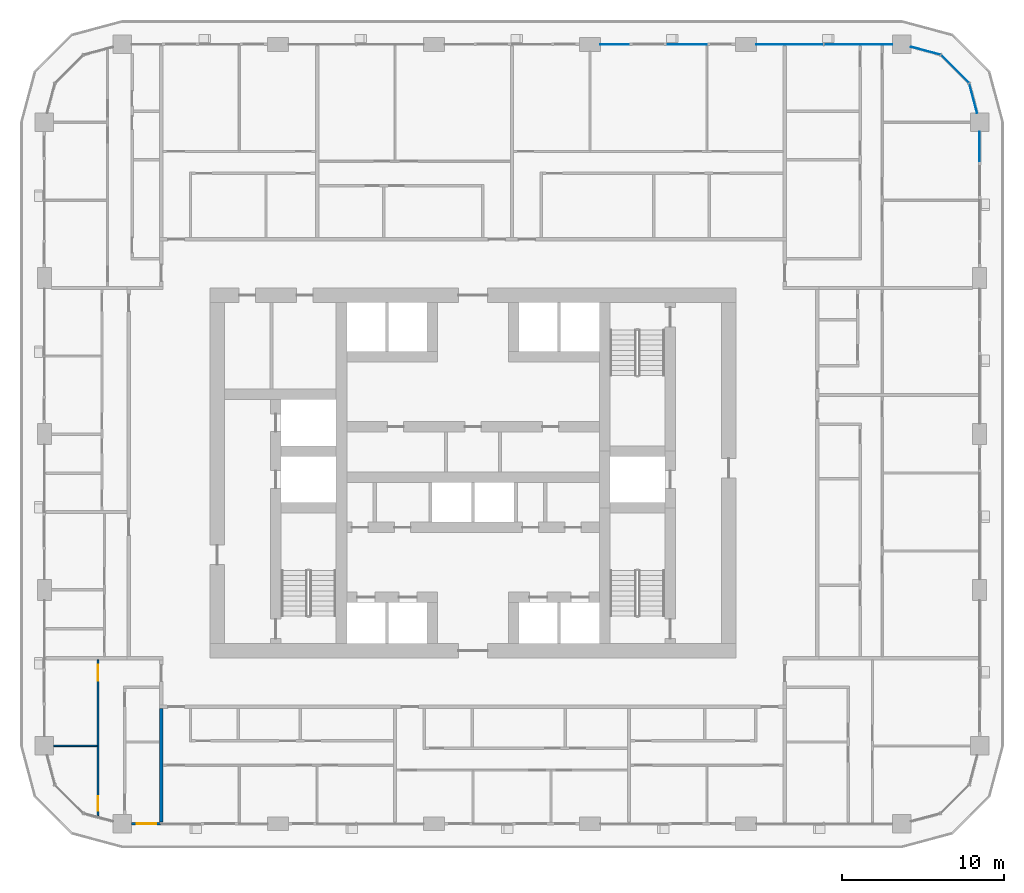
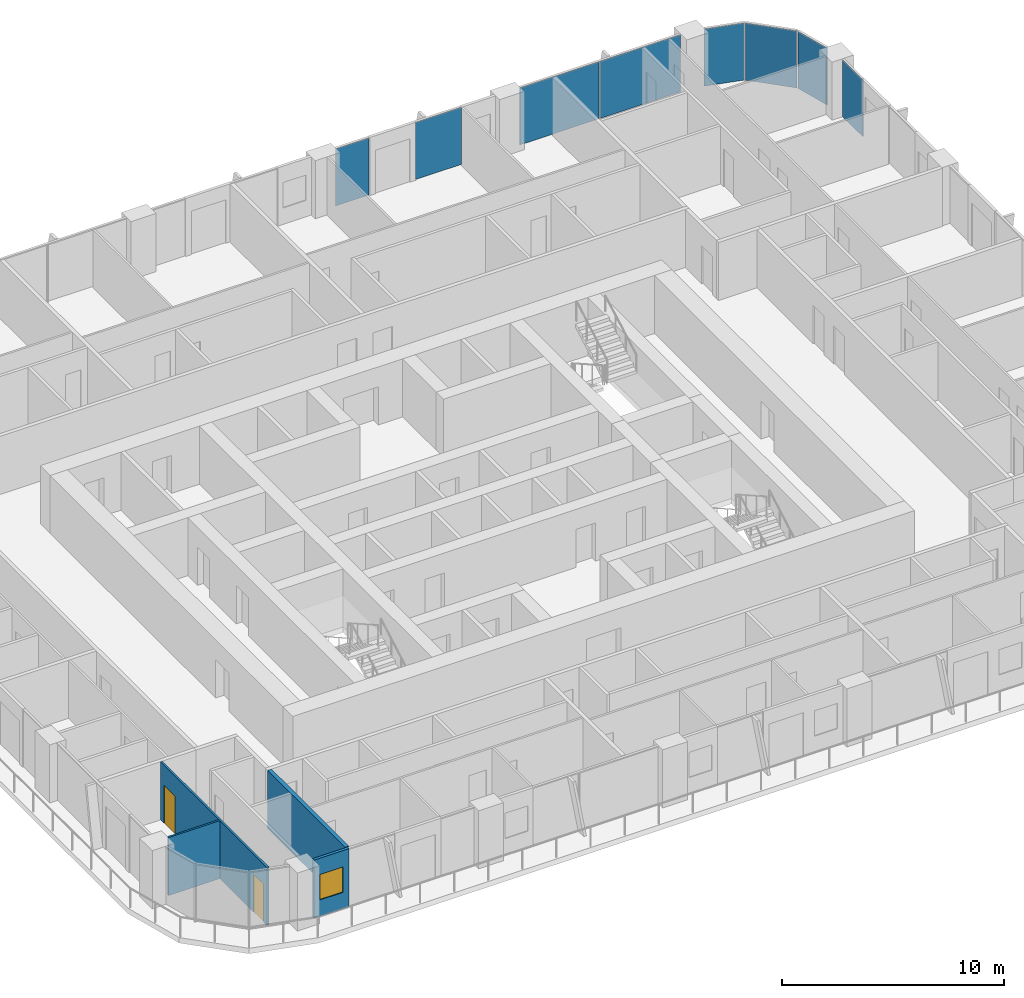
# One storey, part 8 of 22: 8 plates, 4 walls, 2 doors, 1 window, 3 openings, 4 elements without a shape of their own.
"""IFC4 building model written with IfcOpenShell, lengths in metres."""

from ifc_helpers import new_model, si_unit, direction, frame, frame_2d, origin, origin_2d, place, context, subcontext, project, spatial, rectangle, extrude, material, layer, layer_set, type_object, element, fill, aggregate, save


model = new_model("IFC4")

# Units and contexts
model_context = context("Model", 3, precision=1e-05, world=origin(), true_north=direction((0.0, 1.0)))
body_context = subcontext(model_context, "Body", "Model", "MODEL_VIEW")
ifc_project = project(units=[si_unit("LENGTHUNIT", "METRE"), si_unit("AREAUNIT", "SQUARE_METRE"), si_unit("VOLUMEUNIT", "CUBIC_METRE"), si_unit("PLANEANGLEUNIT", "RADIAN"), si_unit("MASSUNIT", "GRAM", prefix="KILO")], contexts=[model_context])

# Site, building, storey
site_placement = place(None, origin())
site = spatial("IfcSite", under=ifc_project, at=site_placement, CompositionType="ELEMENT")
building_placement = place(site_placement, origin())
building = spatial("IfcBuilding", under=site, at=building_placement, Name="Madar Terraces", CompositionType="ELEMENT")
storey_placement = place(building_placement, frame((0.0, 0.0, 99.699951171875)))
storey = spatial("IfcBuildingStorey", under=building, at=storey_placement, Name="L25", CompositionType="ELEMENT", Elevation=99.699951171875)

# Curtain wall, plate
ifc_material_1 = material(Name="Glass, ceramic frit dark grey, with black aluminium frame", Category="aluminium")
ifc_layer_1 = layer(ifc_material_1, 0.199951171875)
ifc_layer_set_1 = layer_set([ifc_layer_1], Name="Facade curtain wall, fritted glass")
curtain_wall_type = type_object("IfcCurtainWallType", Name="Facade curtain wall, fritted glass", PredefinedType="NOTDEFINED", material=ifc_layer_set_1)
curtain_wall_1_placement = place(storey_placement, origin())
curtain_wall_1 = element("IfcCurtainWall", 1, at=curtain_wall_1_placement, inside=storey, type_object=curtain_wall_type, Name="Outer skin curtain wall east bay 4", PredefinedType="NOTDEFINED")
ifc_material_2 = material(Name="Glass, ceramic frit dark grey", Category="glass")
ifc_layer_2 = layer(ifc_material_2, 0.028076171875)
ifc_layer_set_2 = layer_set([ifc_layer_2], Name="Facade glass panel 28")
plate_type = type_object("IfcPlateType", Name="Facade glass panel 28", PredefinedType="CURTAIN_PANEL", material=ifc_layer_set_2)
plate_1_placement = place(storey_placement, frame((62.39990234375, 46.512451171875, 0.0), z_axis=(0.0, 0.0, 1.0), x_axis=(0.0, 1.0, 0.0)))
plate_1 = element("IfcPlate", 2, at=plate_1_placement, type_object=plate_type, Name="Panel 2", PredefinedType="CURTAIN_PANEL", context=body_context, shape_type="SweptSolid", body=[
    extrude(rectangle(XDim=1.824951171875, YDim=0.028076171875, at=origin_2d()), origin(), (0.0, 0.0, 1.0), 3.139892578125),
])
aggregate(curtain_wall_1, [plate_1])

# Curtain wall, plates
curtain_wall_2_placement = place(storey_placement, origin())
curtain_wall_2 = element("IfcCurtainWall", 3, at=curtain_wall_2_placement, inside=storey, type_object=curtain_wall_type, Name="Outer skin curtain wall north bay 1", PredefinedType="NOTDEFINED")
plate_2_placement = place(storey_placement, frame((54.927490234375, 52.800048828125, 0.0), z_axis=(0.0, 0.0, 1.0), x_axis=(-1.0, 0.0, 0.0)))
plate_2 = element("IfcPlate", 4, at=plate_2_placement, type_object=plate_type, Name="Panel 1", PredefinedType="CURTAIN_PANEL", context=body_context, shape_type="SweptSolid", body=[
    extrude(rectangle(XDim=4.195068359375, YDim=0.028076171875, at=origin_2d()), origin(), (0.0, 0.0, 1.0), 3.139892578125),
])
plate_3_placement = place(storey_placement, frame((50.7099609375, 52.800048828125, 0.0), z_axis=(0.0, 0.0, 1.0), x_axis=(-1.0, 0.0, 0.0)))
plate_3 = element("IfcPlate", 5, at=plate_3_placement, type_object=plate_type, Name="Panel 2", PredefinedType="CURTAIN_PANEL", context=body_context, shape_type="SweptSolid", body=[
    extrude(rectangle(XDim=4.1201171875, YDim=0.028076171875, at=origin_2d()), origin(), (0.0, 0.0, 1.0), 3.139892578125),
])
aggregate(curtain_wall_2, [plate_2, plate_3])

curtain_wall_3_placement = place(storey_placement, origin())
curtain_wall_3 = element("IfcCurtainWall", 6, at=curtain_wall_3_placement, inside=storey, type_object=curtain_wall_type, Name="Outer skin curtain wall north bay 2", PredefinedType="NOTDEFINED")
plate_4_placement = place(storey_placement, frame((44.39990234375, 52.800048828125, 0.0), z_axis=(0.0, 0.0, 1.0), x_axis=(-1.0, 0.0, 0.0)))
plate_4 = element("IfcPlate", 7, at=plate_4_placement, type_object=plate_type, Name="Panel 1", PredefinedType="CURTAIN_PANEL", context=body_context, shape_type="SweptSolid", body=[
    extrude(rectangle(XDim=2.39990234375, YDim=0.028076171875, at=origin_2d()), origin(), (0.0, 0.0, 1.0), 3.139892578125),
])
plate_5_placement = place(storey_placement, frame((39.925048828125, 52.800048828125, 0.0), z_axis=(0.0, 0.0, 1.0), x_axis=(-1.0, 0.0, 0.0)))
plate_5 = element("IfcPlate", 8, at=plate_5_placement, type_object=plate_type, Name="Panel 2", PredefinedType="CURTAIN_PANEL", context=body_context, shape_type="SweptSolid", body=[
    extrude(rectangle(XDim=1.75, YDim=0.028076171875, at=origin_2d()), origin(), (0.0, 0.0, 1.0), 3.139892578125),
])
aggregate(curtain_wall_3, [plate_4, plate_5])

curtain_wall_4_placement = place(storey_placement, origin())
curtain_wall_4 = element("IfcCurtainWall", 9, at=curtain_wall_4_placement, inside=storey, type_object=curtain_wall_type, Name="Outer skin curtain wall north-east corner", PredefinedType="NOTDEFINED")
plate_6_placement = place(storey_placement, frame((62.00537109375, 49.472900390625, 0.0), z_axis=(0.0, 0.0, 1.0), x_axis=(-0.258819021888, 0.965925832509, 0.0)))
plate_6 = element("IfcPlate", 10, at=plate_6_placement, type_object=plate_type, Name="Panel 1", PredefinedType="CURTAIN_PANEL", context=body_context, shape_type="SweptSolid", body=[
    extrude(rectangle(XDim=1.859375, YDim=0.028076171875, at=origin_2d()), origin(), (0.0, 0.0, 1.0), 3.139892578125),
])
plate_7_placement = place(storey_placement, frame((60.87841796875, 51.278564453125, 0.0), z_axis=(0.0, 0.0, 1.0), x_axis=(-0.707106781187, 0.707106781187, 0.0)))
plate_7 = element("IfcPlate", 11, at=plate_7_placement, type_object=plate_type, Name="Panel 2", PredefinedType="CURTAIN_PANEL", context=body_context, shape_type="SweptSolid", body=[
    extrude(rectangle(XDim=2.424560546875, YDim=0.028076171875, at=origin_2d()), origin(), (0.0, 0.0, 1.0), 3.139892578125),
])
plate_8_placement = place(storey_placement, frame((59.072998046875, 52.4052734375, 0.0), z_axis=(0.0, 0.0, 1.0), x_axis=(-0.965925832509, 0.258819021888, 0.0)))
plate_8 = element("IfcPlate", 12, at=plate_8_placement, type_object=plate_type, Name="Panel 3", PredefinedType="CURTAIN_PANEL", context=body_context, shape_type="SweptSolid", body=[
    extrude(rectangle(XDim=1.859375, YDim=0.028076171875, at=origin_2d()), origin(), (0.0, 0.0, 1.0), 3.139892578125),
])
aggregate(curtain_wall_4, [plate_6, plate_7, plate_8])

# Wall, opening, window
ifc_material_3 = material(Name="Aluminium composite panel, black, over insulated backing", Category="aluminium")
ifc_layer_3 = layer(ifc_material_3, 0.14990234375)
ifc_layer_set_3 = layer_set([ifc_layer_3], Name="Facade bay panel 150")
wall_type_1 = type_object("IfcWallType", Name="Facade bay panel 150", PredefinedType="SOLIDWALL", material=ifc_layer_set_3)
wall_1_placement = place(storey_placement, frame((10.175048828125, 4.800048828125, 0.0), z_axis=(0.0, 0.0, 1.0), x_axis=(1.0, 0.0, 0.0)))
wall_1 = element("IfcWall", 13, at=wall_1_placement, inside=storey, type_object=wall_type_1, Name="Facade bay panel", PredefinedType="SOLIDWALL", context=body_context, shape_type="SweptSolid", body=[
    extrude(rectangle(XDim=1.824951171875, YDim=0.14990234375, at=frame_2d((0.91259765625, 0.0))), origin(), (0.0, 0.0, 1.0), 3.199951171875),
])
opening_1_placement = place(wall_1_placement, frame((0.3125, 0.0, 0.89990234375)))
opening_1 = element("IfcOpeningElement", 14, at=opening_1_placement, cuts=wall_1, Name="Opening W1", PredefinedType="OPENING", context=body_context, shape_type="SweptSolid", body=[
    extrude(rectangle(XDim=1.199951171875, YDim=1.39990234375, at=frame_2d((0.60009765625, 0.699951171875))), frame((0.0, 0.0849609375, 0.0), z_axis=(0.0, -1.0, 0.0), x_axis=(1.0, 0.0, 0.0)), (0.0, 0.0, 1.0), 0.169921875),
])
ifc_material_4 = material(Name="Glass, clear, with black aluminium frame", Category="aluminium")
window_type = type_object("IfcWindowType", Name="Vent window 1200 x 1400", PartitioningType="SINGLE_PANEL", PredefinedType="WINDOW", material=ifc_material_4)
window_placement = place(opening_1_placement, origin())
window = element("IfcWindow", 15, at=window_placement, inside=storey, type_object=window_type, Name="Operable vent window", OverallHeight=1.39990234375, OverallWidth=1.199951171875, PartitioningType="SINGLE_PANEL", PredefinedType="WINDOW", context=body_context, shape_type="SweptSolid", body=[
    extrude(rectangle(XDim=1.199951171875, YDim=1.39990234375, at=frame_2d((0.60009765625, 0.699951171875))), frame((0.0, 0.030029296875, 0.0), z_axis=(0.0, -1.0, 0.0), x_axis=(1.0, 0.0, 0.0)), (0.0, 0.0, 1.0), 0.06005859375),
])
fill(opening_1, window)

# Wall
ifc_material_5 = material(Name="Gypsum board on steel studs", Category="steel")
ifc_layer_4 = layer(ifc_material_5, 0.10009765625)
ifc_layer_set_4 = layer_set([ifc_layer_4], Name="Flat partition 100")
wall_type_2 = type_object("IfcWallType", Name="Flat partition 100", PredefinedType="PARTITIONING", material=ifc_layer_set_4)
wall_2_placement = place(storey_placement, frame((8.050048828125, 9.60009765625, 0.0), z_axis=(0.0, 0.0, 1.0), x_axis=(-1.0, 0.0, 0.0)))
element("IfcWall", 16, at=wall_2_placement, inside=storey, type_object=wall_type_2, Name="Flat partition 100", PredefinedType="PARTITIONING", context=body_context, shape_type="SweptSolid", body=[
    extrude(rectangle(XDim=2.675048828125, YDim=0.10009765625, at=frame_2d((1.33740234375, 0.0))), origin(), (0.0, 0.0, 1.0), 3.199951171875),
])

# Wall, openings, doors
wall_3_placement = place(storey_placement, frame((8.10009765625, 5.302001953125, 0.0), z_axis=(0.0, 0.0, 1.0), x_axis=(0.0, 1.0, 0.0)))
wall_3 = element("IfcWall", 17, at=wall_3_placement, inside=storey, type_object=wall_type_2, Name="Flat partition 100", PredefinedType="PARTITIONING", context=body_context, shape_type="SweptSolid", body=[
    extrude(rectangle(XDim=9.597900390625, YDim=0.10009765625, at=frame_2d((4.798828125, 0.0))), origin(), (0.0, 0.0, 1.0), 3.199951171875),
])
opening_2_placement = place(wall_3_placement, frame((8.298095703125, 0.0, 0.0)))
opening_2 = element("IfcOpeningElement", 18, at=opening_2_placement, cuts=wall_3, Name="Opening D3", PredefinedType="OPENING", context=body_context, shape_type="SweptSolid", body=[
    extrude(rectangle(XDim=1.0, YDim=2.10009765625, at=frame_2d((0.5, 1.050048828125))), frame((0.0, 0.06005859375, 0.0), z_axis=(0.0, -1.0, 0.0), x_axis=(1.0, 0.0, 0.0)), (0.0, 0.0, 1.0), 0.1201171875),
])
opening_3_placement = place(wall_3_placement, frame((0.300048828125, 0.0, 0.0)))
opening_3 = element("IfcOpeningElement", 19, at=opening_3_placement, cuts=wall_3, Name="Opening D2", PredefinedType="OPENING", context=body_context, shape_type="SweptSolid", body=[
    extrude(rectangle(XDim=0.89990234375, YDim=2.10009765625, at=frame_2d((0.449951171875, 1.050048828125))), frame((0.0, 0.06005859375, 0.0), z_axis=(0.0, -1.0, 0.0), x_axis=(1.0, 0.0, 0.0)), (0.0, 0.0, 1.0), 0.1201171875),
])
ifc_material_6 = material(Name="Timber door leaf", Category="wood")
door_type_1 = type_object("IfcDoorType", Name="Flat living room door 1000", OperationType="NOTDEFINED", PredefinedType="DOOR", material=ifc_material_6)
door_1_placement = place(opening_2_placement, origin())
door_1 = element("IfcDoor", 20, at=door_1_placement, inside=storey, type_object=door_type_1, Name="Flat living room door 1000", OperationType="SINGLE_SWING_RIGHT", OverallHeight=2.10009765625, OverallWidth=1.0, PredefinedType="DOOR", context=body_context, shape_type="SweptSolid", body=[
    extrude(rectangle(XDim=1.0, YDim=2.10009765625, at=frame_2d((0.5, 1.050048828125))), frame((0.0, 0.02490234375, 0.0), z_axis=(0.0, -1.0, 0.0), x_axis=(1.0, 0.0, 0.0)), (0.0, 0.0, 1.0), 0.050048828125),
])
fill(opening_2, door_1)
ifc_material_7 = material(Name="Timber door leaf", Category="wood")
door_type_2 = type_object("IfcDoorType", Name="Flat room door 900", OperationType="NOTDEFINED", PredefinedType="DOOR", material=ifc_material_7)
door_2_placement = place(opening_3_placement, origin())
door_2 = element("IfcDoor", 21, at=door_2_placement, inside=storey, type_object=door_type_2, Name="Flat room door 900", OperationType="SINGLE_SWING_LEFT", OverallHeight=2.10009765625, OverallWidth=0.89990234375, PredefinedType="DOOR", context=body_context, shape_type="SweptSolid", body=[
    extrude(rectangle(XDim=0.89990234375, YDim=2.10009765625, at=frame_2d((0.449951171875, 1.050048828125))), frame((0.0, 0.02490234375, 0.0), z_axis=(0.0, -1.0, 0.0), x_axis=(1.0, 0.0, 0.0)), (0.0, 0.0, 1.0), 0.050048828125),
])
fill(opening_3, door_2)

# Wall
ifc_material_8 = material(Name="Lightweight blockwork", Category="masonry")
ifc_layer_5 = layer(ifc_material_8, 0.199951171875)
ifc_layer_set_5 = layer_set([ifc_layer_5], Name="Flat party and entrance wall 200")
wall_type_3 = type_object("IfcWallType", Name="Flat party and entrance wall 200", PredefinedType="PARTITIONING", material=ifc_layer_set_5)
wall_4_placement = place(storey_placement, frame((12.0, 4.89990234375, 0.0), z_axis=(0.0, 0.0, 1.0), x_axis=(0.0, 1.0, 0.0)))
element("IfcWall", 22, at=wall_4_placement, inside=storey, type_object=wall_type_3, Name="Flat party and entrance wall 200", PredefinedType="PARTITIONING", context=body_context, shape_type="SweptSolid", body=[
    extrude(rectangle(XDim=7.0, YDim=0.199951171875, at=frame_2d((3.5, 0.0))), origin(), (0.0, 0.0, 1.0), 3.199951171875),
])

save(model, "model.ifc")
